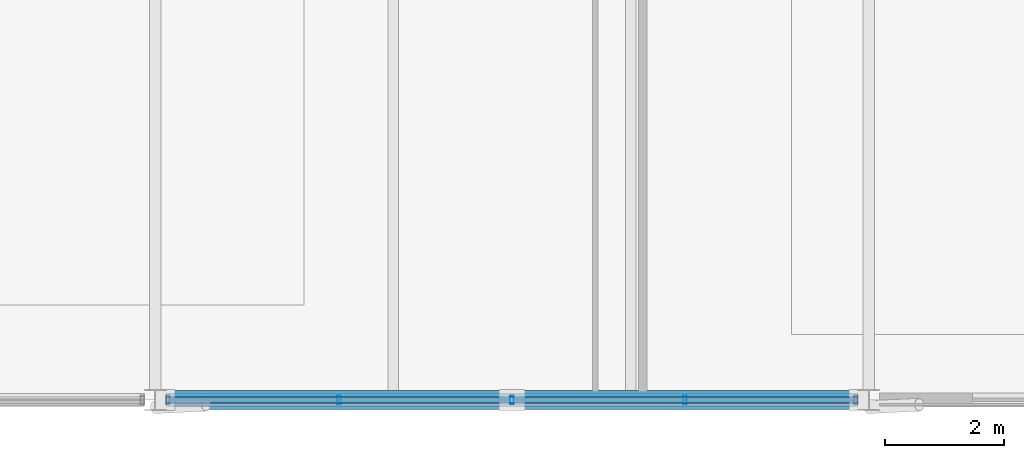
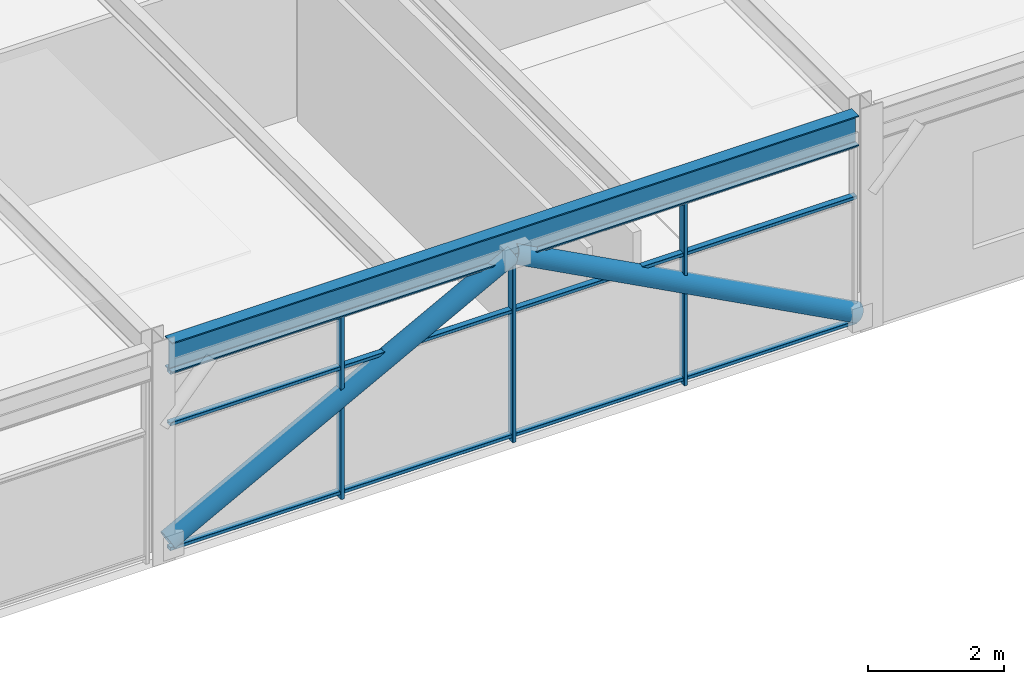
# One storey, part 16 of 32: 8 members, 1 beam, 1 element without a shape of its own.
"""IFC4 building model written with IfcOpenShell, lengths in metres."""

import ifcopenshell
import ifcopenshell.guid

model = None  # the IFC model being written
_history = None  # IfcOwnerHistory: only IFC2X3 demands one
_inside = {}  # id of a spatial element -> (the spatial element, [elements in it])
_under = {}  # id of a project, library or spatial element -> (it, [spatial elements below it])
_declared = {}  # id of a project -> (the project, [libraries it declares])
_typed = {}  # id of a type object -> (the type object, [elements of that type])
_made_of = {}  # id of a material, layer set ... -> (it, [elements and type objects made of it])


def new_model(schema):
    """Start an empty IFC model of exactly this schema.

    Asked for "IFC4X3", IfcOpenShell would pick the latest addendum, in which some entities
    have other attributes; the version numbers below select the first issue.
    IFC2X3 requires an IfcOwnerHistory on every rooted entity: one is made here for all.
    """
    global model, _history
    if schema == "IFC4X3":
        model = ifcopenshell.file(schema_version=(4, 3, 0, 0))
    else:
        model = ifcopenshell.file(schema=schema)
    _inside.clear()
    _under.clear()
    _declared.clear()
    _typed.clear()
    _made_of.clear()
    _history = None
    if model.schema == "IFC2X3":
        org = make("IfcOrganization", Name="unknown")
        user = make(
            "IfcPersonAndOrganization",
            ThePerson=make("IfcPerson", FamilyName="unknown"),
            TheOrganization=org,
        )
        app = make(
            "IfcApplication",
            ApplicationDeveloper=org,
            Version="unknown",
            ApplicationFullName="unknown",
            ApplicationIdentifier="unknown",
        )
        _history = make(
            "IfcOwnerHistory",
            OwningUser=user,
            OwningApplication=app,
            ChangeAction="ADDED",
            CreationDate=0,
        )
    return model


def make(cls, **values):
    """One entity of the class cls with the attributes given. An attribute that is None is left unset."""
    return model.create_entity(
        cls, **{name: value for name, value in values.items() if value is not None}
    )


def rooted(cls, **values):
    """An entity with a GlobalId (a new one), such as an element, a storey or a relation."""
    return make(cls, GlobalId=ifcopenshell.guid.new(), OwnerHistory=_history, **values)


def si_unit(unit_type, name, prefix=None):
    """IfcSIUnit, for example si_unit("LENGTHUNIT", "METRE", prefix="MILLI")."""
    return make("IfcSIUnit", UnitType=unit_type, Prefix=prefix, Name=name)


def assignment(units):
    """IfcUnitAssignment: the units of a project."""
    return None if units is None else make("IfcUnitAssignment", Units=units)


def point(xyz):
    """IfcCartesianPoint."""
    return None if xyz is None else make("IfcCartesianPoint", Coordinates=xyz)


def direction(xyz):
    """IfcDirection."""
    return None if xyz is None else make("IfcDirection", DirectionRatios=xyz)


def frame(location, z_axis=None, x_axis=None):
    """IfcAxis2Placement3D, a coordinate frame: its origin and axes. An axis left out is left unset."""
    return make(
        "IfcAxis2Placement3D",
        Location=point(location),
        Axis=direction(z_axis),
        RefDirection=direction(x_axis),
    )


def frame_2d(location, x_axis=None):
    """IfcAxis2Placement2D, a coordinate frame in the plane: its origin and x axis."""
    return make(
        "IfcAxis2Placement2D", Location=point(location), RefDirection=direction(x_axis)
    )


def origin():
    """The frame at (0, 0, 0) with its axes left unset."""
    return frame((0.0, 0.0, 0.0))


def origin_2d():
    """The frame at (0, 0) in the plane with its x axis left unset."""
    return frame_2d((0.0, 0.0))


def place(relative_to, where):
    """IfcLocalPlacement: puts the frame where relative to a parent placement (None: the world)."""
    return make(
        "IfcLocalPlacement", PlacementRelTo=relative_to, RelativePlacement=where
    )


def context(
    kind, dimensions, precision=None, world=None, true_north=None, identifier=None
):
    """IfcGeometricRepresentationContext, for example the 3D "Model" context."""
    return make(
        "IfcGeometricRepresentationContext",
        ContextIdentifier=identifier,
        ContextType=kind,
        CoordinateSpaceDimension=dimensions,
        Precision=precision,
        WorldCoordinateSystem=world,
        TrueNorth=true_north,
    )


def subcontext(parent, identifier, kind, view, scale=None):
    """IfcGeometricRepresentationSubContext, for example "Body" below "Model"."""
    return make(
        "IfcGeometricRepresentationSubContext",
        ContextIdentifier=identifier,
        ContextType=kind,
        ParentContext=parent,
        TargetScale=scale,
        TargetView=view,
    )


def project(units=None, contexts=None):
    """IfcProject with its units and contexts."""
    return rooted(
        "IfcProject",
        Name="project",
        RepresentationContexts=contexts,
        UnitsInContext=assignment(units),
    )


def spatial(cls, under=None, at=None, **own):
    """A site, building, storey or space (cls), placed at a placement, below another one or the project."""
    s = rooted(cls, ObjectPlacement=at, **own)
    if under is not None:
        _under.setdefault(under.id(), (under, []))[1].append(s)
    return s


def profile(cls, at=None, kind="AREA", **sizes):
    """A parametric profile (cls). Its sizes go by their IFC names, for example OverallWidth=200.0."""
    return make(cls, ProfileType=kind, Position=at, **sizes)


def hollow_rectangle(**sizes):
    """IfcRectangleHollowProfileDef."""
    return profile("IfcRectangleHollowProfileDef", **sizes)


def hollow_circle(**sizes):
    """IfcCircleHollowProfileDef."""
    return profile("IfcCircleHollowProfileDef", **sizes)


def i_section(**sizes):
    """IfcIShapeProfileDef."""
    return profile("IfcIShapeProfileDef", **sizes)


def extrude(swept, where, along, depth):
    """IfcExtrudedAreaSolid: the profile swept, set in the frame where, extruded along a direction by depth."""
    return make(
        "IfcExtrudedAreaSolid",
        SweptArea=swept,
        Position=where,
        ExtrudedDirection=direction(along),
        Depth=depth,
    )


def shape(context_of_items, identifier, shape_type, items):
    """IfcShapeRepresentation: the items that make up one representation, for example the "Body"."""
    return make(
        "IfcShapeRepresentation",
        ContextOfItems=context_of_items,
        RepresentationIdentifier=identifier,
        RepresentationType=shape_type,
        Items=items,
    )


def material(Name=None, Category=None):
    """IfcMaterial."""
    return make("IfcMaterial", Name=Name, Category=Category)


def material_profile(
    of_material, cross_section, Name=None, Category=None, Priority=None
):
    """IfcMaterialProfile: a cross section and its material."""
    return make(
        "IfcMaterialProfile",
        Name=Name,
        Material=of_material,
        Profile=cross_section,
        Priority=Priority,
        Category=Category,
    )


def profile_set(profiles, Name=None, composite=None):
    """IfcMaterialProfileSet."""
    return make(
        "IfcMaterialProfileSet",
        Name=Name,
        MaterialProfiles=profiles,
        CompositeProfile=composite,
    )


def made_of(thing, what):
    """Note that an element or type object is made of a material, layer set ...; save() writes the relation."""
    if what is not None:
        _made_of.setdefault(what.id(), (what, []))[1].append(thing)
    return thing


def type_object(cls, material=None, **own):
    """A type object (cls), such as IfcWallType, which elements share."""
    return made_of(rooted(cls, **own), material)


def element(
    cls,
    number,
    at=None,
    inside=None,
    cuts=None,
    type_object=None,
    material=None,
    context=None,
    identifier="Body",
    shape_type=None,
    held_by="IfcProductDefinitionShape",
    body=None,
    shapes=None,
    **own,
):
    """One element of the class cls, such as IfcWall. Its Tag is "e" and its number.

    at: its placement. inside: the storey or other place that contains it. cuts: it is an
    opening in that element (IfcRelVoidsElement). A single representation is given by context,
    identifier, shape_type and body (its items); several are given by shapes. held_by: the class
    of the entity that holds the representations. save() writes the other relations.
    """
    e = rooted(cls, Tag="e%d" % number, ObjectPlacement=at, **own)
    if body is not None:
        shapes = [shape(context, identifier, shape_type, body)]
    if shapes is not None:
        e.Representation = make(held_by, Representations=shapes)
    if inside is not None:
        _inside.setdefault(inside.id(), (inside, []))[1].append(e)
    if cuts is not None:
        rooted(
            "IfcRelVoidsElement", RelatingBuildingElement=cuts, RelatedOpeningElement=e
        )
    if type_object is not None:
        _typed.setdefault(type_object.id(), (type_object, []))[1].append(e)
    return made_of(e, material)


def aggregate(whole, parts):
    """IfcRelAggregates: a whole, such as a stair, and the parts it consists of."""
    return rooted("IfcRelAggregates", RelatingObject=whole, RelatedObjects=parts)


def save(model, path):
    """Write the relations noted so far, then the file.

    IfcRelAggregates (storeys below a building ...), IfcRelContainedInSpatialStructure (elements
    in a storey), IfcRelDefinesByType, IfcRelAssociatesMaterial and IfcRelDeclares: one each for
    every whole, place, type object, material and project.
    """
    for whole, parts in _under.values():
        aggregate(whole, parts)
    for where, things in _inside.values():
        rooted(
            "IfcRelContainedInSpatialStructure",
            RelatedElements=things,
            RelatingStructure=where,
        )
    for kind, things in _typed.values():
        rooted("IfcRelDefinesByType", RelatedObjects=things, RelatingType=kind)
    for what, things in _made_of.values():
        rooted("IfcRelAssociatesMaterial", RelatedObjects=things, RelatingMaterial=what)
    for by, libraries in _declared.values():
        rooted("IfcRelDeclares", RelatingContext=by, RelatedDefinitions=libraries)
    model.write(path)


model = new_model("IFC4")

# Units and contexts
model_context = context("Model", 3, precision=1e-05, world=origin(), true_north=direction((0.0, 1.0)))
body_context = subcontext(model_context, "Body", "Model", "MODEL_VIEW")
ifc_project = project(units=[si_unit("LENGTHUNIT", "METRE"), si_unit("AREAUNIT", "SQUARE_METRE"), si_unit("VOLUMEUNIT", "CUBIC_METRE"), si_unit("PLANEANGLEUNIT", "RADIAN"), si_unit("MASSUNIT", "GRAM", prefix="KILO")], contexts=[model_context])

# Site, building, storey
site_placement = place(None, origin())
site = spatial("IfcSite", under=ifc_project, at=site_placement, CompositionType="ELEMENT")
building_placement = place(site_placement, origin())
building = spatial("IfcBuilding", under=site, at=building_placement, Name="Girod Span Mobility Hub", CompositionType="ELEMENT")
storey_placement = place(building_placement, frame((0.0, 0.0, 61.60009765625)))
storey = spatial("IfcBuildingStorey", under=building, at=storey_placement, Name="L15", CompositionType="ELEMENT", Elevation=61.60009765625)

# Beam
ifc_material_1 = material(Name="Steel A992 Grade 50", Category="steel")
ifc_material_profile_1 = material_profile(ifc_material_1, i_section(OverallWidth=0.2119140625, OverallDepth=0.5439453125, WebThickness=0.01318359375, FlangeThickness=0.021240234375, FilletRadius=0.014892578125, at=origin_2d()), Name="W21X83")
ifc_profile_set_1 = profile_set([ifc_material_profile_1], Name="Steel A992 Grade 50")
beam_type = type_object("IfcBeamType", Name="BM-STL-W21X83", PredefinedType="SPANDREL", material=ifc_profile_set_1)
beam_placement = place(storey_placement, frame((96.181396484375, 45.0, 3.56787109375), z_axis=(1.0, 0.0, 0.0), x_axis=(0.0, 1.0, 0.0)))
element("IfcBeam", 1, at=beam_placement, inside=storey, type_object=beam_type, Name="Girder 9-10/D L15", PredefinedType="SPANDREL", context=body_context, shape_type="SweptSolid", body=[
    extrude(i_section(OverallWidth=0.2119140625, OverallDepth=0.5439453125, WebThickness=0.01318359375, FlangeThickness=0.021240234375, FilletRadius=0.014892578125, at=origin_2d()), origin(), (0.0, 0.0, 1.0), 11.63720703125),
])

# Curtain wall, members
ifc_material_2 = material(Name="Thermally Broken Anodised Aluminium", Category="aluminium")
curtain_wall_type = type_object("IfcCurtainWallType", Name="CW-1164X330", PredefinedType="USERDEFINED", material=ifc_material_2)
curtain_wall_placement = place(storey_placement, origin())
curtain_wall = element("IfcCurtainWall", 2, at=curtain_wall_placement, inside=storey, type_object=curtain_wall_type, Name="Unitised Curtain Wall CW-L15-S09 L15", ObjectType="UNITISED CURTAIN WALL", PredefinedType="USERDEFINED")
ifc_material_3 = material(Name="Thermally Broken Anodised Aluminium", Category="aluminium")
ifc_material_profile_2 = material_profile(ifc_material_3, hollow_rectangle(XDim=0.139892578125, YDim=0.06005859375, WallThickness=0.00341796875, InnerFilletRadius=0.00341796875, OuterFilletRadius=0.007080078125, at=origin_2d()), Name="CW-ML-60X140")
ifc_profile_set_2 = profile_set([ifc_material_profile_2], Name="Thermally Broken Anodised Aluminium")
member_type_1 = type_object("IfcMemberType", Name="CWM-ML-4", PredefinedType="MULLION", material=ifc_profile_set_2)
member_1_placement = place(storey_placement, frame((99.09130859375, 45.0, 0.0), z_axis=(0.0, 0.0, 1.0), x_axis=(0.0, 1.0, 0.0)))
member_1 = element("IfcMember", 3, at=member_1_placement, type_object=member_type_1, Name="Curtain Wall Mullion CW-L15-S09-M1", PredefinedType="MULLION", context=body_context, shape_type="SweptSolid", body=[
    extrude(hollow_rectangle(XDim=0.139892578125, YDim=0.06005859375, WallThickness=0.00341796875, InnerFilletRadius=0.00341796875, OuterFilletRadius=0.007080078125, at=origin_2d()), origin(), (0.0, 0.0, 1.0), 3.2958984375),
])
member_2_placement = place(storey_placement, frame((102.0, 45.0, 0.0), z_axis=(0.0, 0.0, 1.0), x_axis=(0.0, 1.0, 0.0)))
member_2 = element("IfcMember", 4, at=member_2_placement, type_object=member_type_1, Name="Curtain Wall Mullion CW-L15-S09-M2", PredefinedType="MULLION", context=body_context, shape_type="SweptSolid", body=[
    extrude(hollow_rectangle(XDim=0.139892578125, YDim=0.06005859375, WallThickness=0.00341796875, InnerFilletRadius=0.00341796875, OuterFilletRadius=0.007080078125, at=origin_2d()), origin(), (0.0, 0.0, 1.0), 3.2958984375),
])
member_3_placement = place(storey_placement, frame((104.90869140625, 45.0, 0.0), z_axis=(0.0, 0.0, 1.0), x_axis=(0.0, 1.0, 0.0)))
member_3 = element("IfcMember", 5, at=member_3_placement, type_object=member_type_1, Name="Curtain Wall Mullion CW-L15-S09-M3", PredefinedType="MULLION", context=body_context, shape_type="SweptSolid", body=[
    extrude(hollow_rectangle(XDim=0.139892578125, YDim=0.06005859375, WallThickness=0.00341796875, InnerFilletRadius=0.00341796875, OuterFilletRadius=0.007080078125, at=origin_2d()), origin(), (0.0, 0.0, 1.0), 3.2958984375),
])
ifc_material_4 = material(Name="Thermally Broken Anodised Aluminium", Category="aluminium")
ifc_material_profile_3 = material_profile(ifc_material_4, hollow_rectangle(XDim=0.10498046875, YDim=0.06005859375, WallThickness=0.00341796875, InnerFilletRadius=0.00341796875, OuterFilletRadius=0.007080078125, at=origin_2d()), Name="CW-TR-60X105")
ifc_profile_set_3 = profile_set([ifc_material_profile_3], Name="Thermally Broken Anodised Aluminium")
member_type_2 = type_object("IfcMemberType", Name="CWM-TR-4", PredefinedType="USERDEFINED", material=ifc_profile_set_3)
member_4_placement = place(storey_placement, frame((96.1826171875, 45.0, 0.10986328125), z_axis=(1.0, 0.0, 0.0), x_axis=(0.0, 1.0, 0.0)))
member_4 = element("IfcMember", 6, at=member_4_placement, type_object=member_type_2, Name="Curtain Wall Transom CW-L15-S09-T1", ObjectType="TRANSOM", PredefinedType="USERDEFINED", context=body_context, shape_type="SweptSolid", body=[
    extrude(hollow_rectangle(XDim=0.10498046875, YDim=0.06005859375, WallThickness=0.00341796875, InnerFilletRadius=0.00341796875, OuterFilletRadius=0.007080078125, at=origin_2d()), origin(), (0.0, 0.0, 1.0), 11.634765625),
])
member_5_placement = place(storey_placement, frame((96.1826171875, 45.0, 2.343017578125), z_axis=(1.0, 0.0, 0.0), x_axis=(0.0, 1.0, 0.0)))
member_5 = element("IfcMember", 7, at=member_5_placement, type_object=member_type_2, Name="Curtain Wall Transom CW-L15-S09-T2", ObjectType="TRANSOM", PredefinedType="USERDEFINED", context=body_context, shape_type="SweptSolid", body=[
    extrude(hollow_rectangle(XDim=0.10498046875, YDim=0.06005859375, WallThickness=0.00341796875, InnerFilletRadius=0.00341796875, OuterFilletRadius=0.007080078125, at=origin_2d()), origin(), (0.0, 0.0, 1.0), 11.634765625),
])
member_6_placement = place(storey_placement, frame((96.1826171875, 45.0, 3.265869140625), z_axis=(1.0, 0.0, 0.0), x_axis=(0.0, 1.0, 0.0)))
member_6 = element("IfcMember", 8, at=member_6_placement, type_object=member_type_2, Name="Curtain Wall Transom CW-L15-S09-T3", ObjectType="TRANSOM", PredefinedType="USERDEFINED", context=body_context, shape_type="SweptSolid", body=[
    extrude(hollow_rectangle(XDim=0.10498046875, YDim=0.06005859375, WallThickness=0.00341796875, InnerFilletRadius=0.00341796875, OuterFilletRadius=0.007080078125, at=origin_2d()), origin(), (0.0, 0.0, 1.0), 11.634765625),
])
aggregate(curtain_wall, [member_1, member_2, member_3, member_4, member_5, member_6])

# Members
ifc_material_5 = material(Name="Steel HSS A500 Grade C", Category="steel")
ifc_material_profile_4 = material_profile(ifc_material_5, hollow_circle(Radius=0.162109375, WallThickness=0.01171875, at=origin_2d()), Name="HSS324X12.7")
ifc_profile_set_4 = profile_set([ifc_material_profile_4], Name="Steel HSS A500 Grade C")
member_type_3 = type_object("IfcMemberType", Name="MB-BR-HSS324", PredefinedType="BRACE", material=ifc_profile_set_4)
for number, where, z_axis, x_axis, name in (
    (9, (96.16455078125, 45.0, 0.25), (0.882747253202, 0.0, 0.469848153093), (0.0, 1.0, 0.0), "Upper Diagrid Brace 9/D-L L15"),
    (10, (107.83544921875, 45.0, 0.25), (-0.882747253202, 0.0, 0.469848153093), (0.0, -1.0, 0.0), "Upper Diagrid Brace 9/D-R L15"),
):
    element("IfcMember", number, at=place(storey_placement, frame(where, z_axis=z_axis, x_axis=x_axis)), inside=storey, type_object=member_type_3, Name=name, PredefinedType="BRACE", context=body_context, shape_type="SweptSolid", body=[
        extrude(hollow_circle(Radius=0.162109375, WallThickness=0.01171875, at=origin_2d()), origin(), (0.0, 0.0, 1.0), 6.610595703125),
    ])

save(model, "model.ifc")
